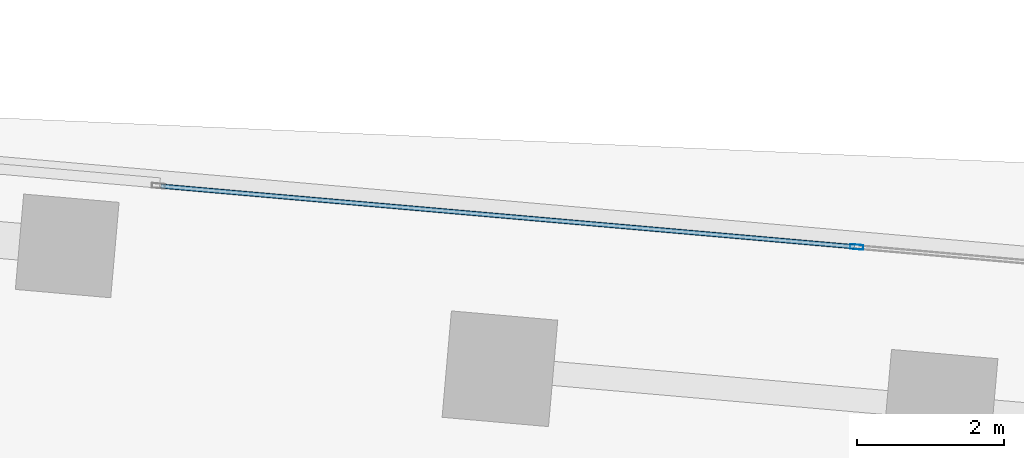
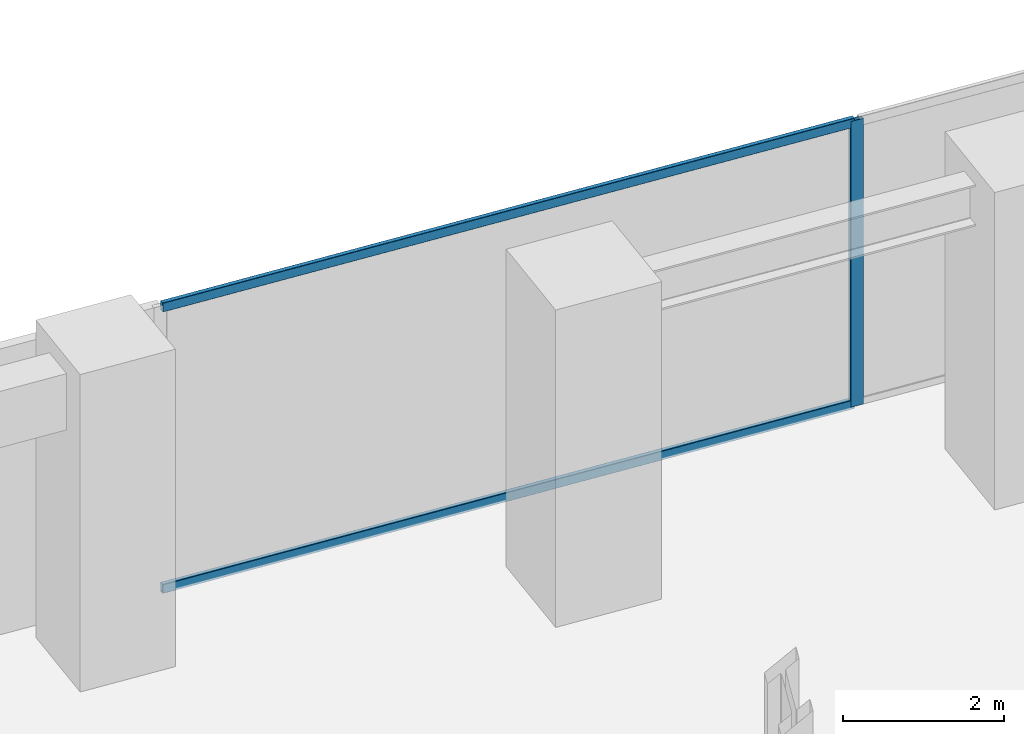
# One storey, part 18 of 24: 3 members, 1 element without a shape of its own.
"""IFC4 building model written with IfcOpenShell, lengths in metres."""

from ifc_helpers import new_model, si_unit, direction, frame, origin, origin_2d, place, context, subcontext, project, spatial, hollow_rectangle, extrude, source, transform, mapped, material, material_profile, profile_set, type_object, element, aggregate, save


model = new_model("IFC4")

# Units and contexts
model_context = context("Model", 3, precision=1e-05, world=origin(), true_north=direction((0.0, 1.0)))
body_context = subcontext(model_context, "Body", "Model", "MODEL_VIEW")
ifc_project = project(units=[si_unit("LENGTHUNIT", "METRE"), si_unit("AREAUNIT", "SQUARE_METRE"), si_unit("VOLUMEUNIT", "CUBIC_METRE"), si_unit("PLANEANGLEUNIT", "RADIAN"), si_unit("MASSUNIT", "GRAM", prefix="KILO")], contexts=[model_context])

# Site, building, storey
site_placement = place(None, origin())
site = spatial("IfcSite", under=ifc_project, at=site_placement, CompositionType="ELEMENT")
building_placement = place(site_placement, origin())
building = spatial("IfcBuilding", under=site, at=building_placement, Name="Torre Montelarca", CompositionType="ELEMENT")
storey_placement = place(building_placement, frame((0.0, 0.0, 47.199951171875)))
storey = spatial("IfcBuildingStorey", under=building, at=storey_placement, Name="L10", CompositionType="ELEMENT", Elevation=47.199951171875)

# Curtain wall, members
ifc_material_1 = material(Name="Insulated low-E laminated glass", Category="glass")
curtain_wall_type = type_object("IfcCurtainWallType", Name="CW-SYS-Z1", PredefinedType="USERDEFINED", material=ifc_material_1)
curtain_wall_placement = place(storey_placement, origin())
curtain_wall = element("IfcCurtainWall", 1, at=curtain_wall_placement, inside=storey, type_object=curtain_wall_type, Name="L10 Curtain Wall Run CW-T3-L10-E08-B1", ObjectType="UNITISED GLAZING", PredefinedType="USERDEFINED")
ifc_material_2 = material(Name="Anodised aluminium AA 6063-T6", Category="aluminium")
ifc_material_profile_1 = material_profile(ifc_material_2, hollow_rectangle(XDim=0.06494140625, YDim=0.179931640625, WallThickness=0.00390625, InnerFilletRadius=0.00390625, OuterFilletRadius=0.008056640625, at=origin_2d()), Name="ALU65X180X4", Category="aluminium")
ifc_profile_set_1 = profile_set([ifc_material_profile_1], Name="Anodised aluminium AA 6063-T6")
member_type_1 = type_object("IfcMemberType", Name="CWM-ALU180", PredefinedType="MULLION", material=ifc_profile_set_1)
shared_shape_1 = source(origin(), body_context, "Body", "SweptSolid", [
    extrude(hollow_rectangle(XDim=0.06494140625, YDim=0.179931640625, WallThickness=0.00390625, InnerFilletRadius=0.00390625, OuterFilletRadius=0.008056640625, at=origin_2d()), origin(), (0.0, 0.0, 1.0), 4.320068359375),
])
member_1_placement = place(storey_placement, frame((47.98681640625, 45.81396484375, 0.0), z_axis=(0.0, 0.0, 1.0), x_axis=(-0.087159288088, -0.996194387908, 0.0)))
member_1 = element("IfcMember", 2, at=member_1_placement, type_object=member_type_1, Name="CW mullion 2", PredefinedType="MULLION", context=body_context, shape_type="MappedRepresentation", body=[
    mapped(shared_shape_1, transform((0.0, 0.0, 0.0), scale=1.0)),
])
ifc_material_profile_2 = material_profile(ifc_material_2, hollow_rectangle(XDim=0.06494140625, YDim=0.139892578125, WallThickness=0.00390625, InnerFilletRadius=0.00390625, OuterFilletRadius=0.008056640625, at=origin_2d()), Name="ALU65X140X4", Category="aluminium")
ifc_profile_set_2 = profile_set([ifc_material_profile_2], Name="Anodised aluminium AA 6063-T6")
member_type_2 = type_object("IfcMemberType", Name="CWT-ALU140", PredefinedType="USERDEFINED", material=ifc_profile_set_2)
shared_shape_2 = source(origin(), body_context, "Body", "SweptSolid", [
    extrude(hollow_rectangle(XDim=0.06494140625, YDim=0.139892578125, WallThickness=0.00390625, InnerFilletRadius=0.00390625, OuterFilletRadius=0.008056640625, at=origin_2d()), origin(), (0.0, 0.0, 1.0), 9.454345703125),
])
member_2_placement = place(storey_placement, frame((47.954345703125, 45.81689453125, 0.032470703125), z_axis=(-0.996195006729, 0.087152214934, 0.0), x_axis=(-0.087152214934, -0.996195006729, 0.0)))
member_2 = element("IfcMember", 3, at=member_2_placement, type_object=member_type_2, Name="CW transom 2.1", ObjectType="TRANSOM", PredefinedType="USERDEFINED", context=body_context, shape_type="MappedRepresentation", body=[
    mapped(shared_shape_2, transform((0.0, 0.0, 0.0), scale=1.0)),
])
member_3_placement = place(storey_placement, frame((47.954345703125, 45.81689453125, 4.28759765625), z_axis=(-0.996195006729, 0.087152214934, 0.0), x_axis=(-0.087152214934, -0.996195006729, 0.0)))
member_3 = element("IfcMember", 4, at=member_3_placement, type_object=member_type_2, Name="CW transom 2.2", ObjectType="TRANSOM", PredefinedType="USERDEFINED", context=body_context, shape_type="MappedRepresentation", body=[
    mapped(shared_shape_2, transform((0.0, 0.0, 0.0), scale=1.0)),
])
aggregate(curtain_wall, [member_1, member_2, member_3])

save(model, "model.ifc")
